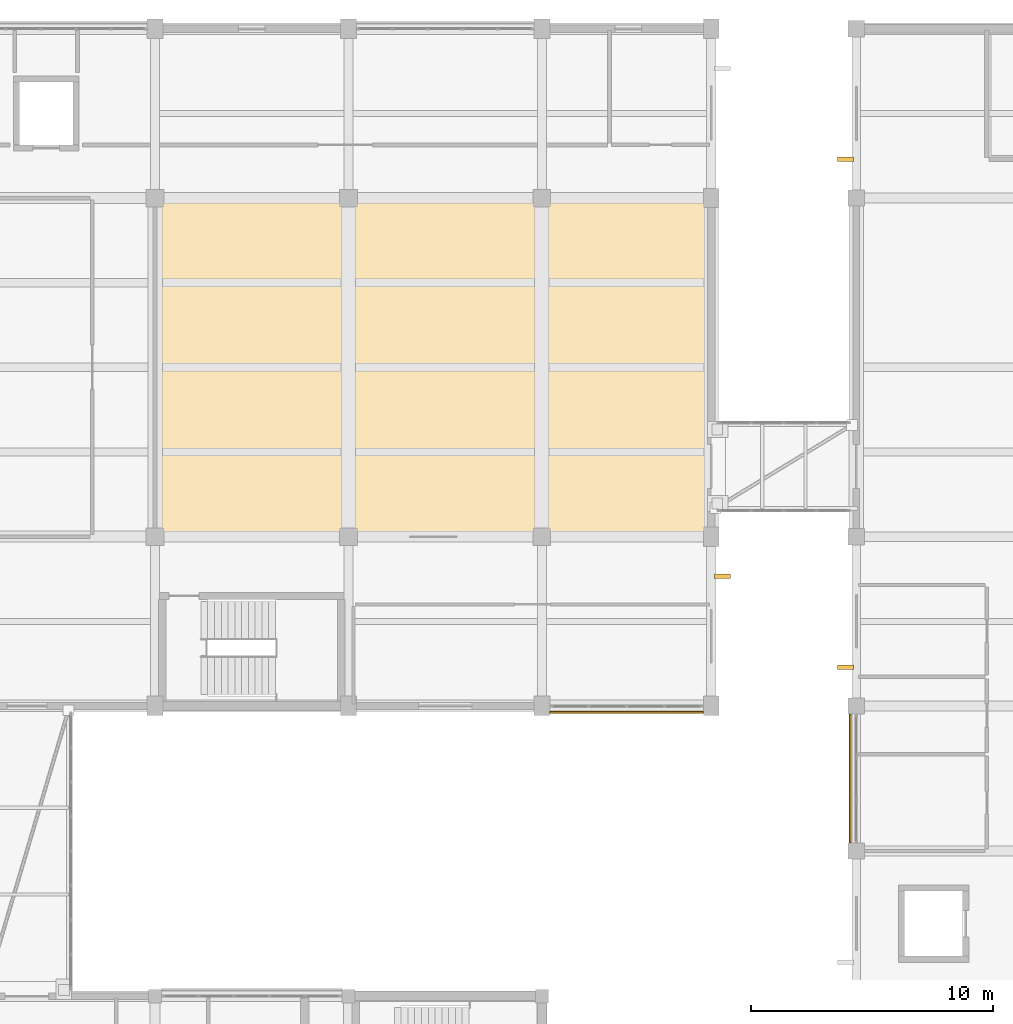
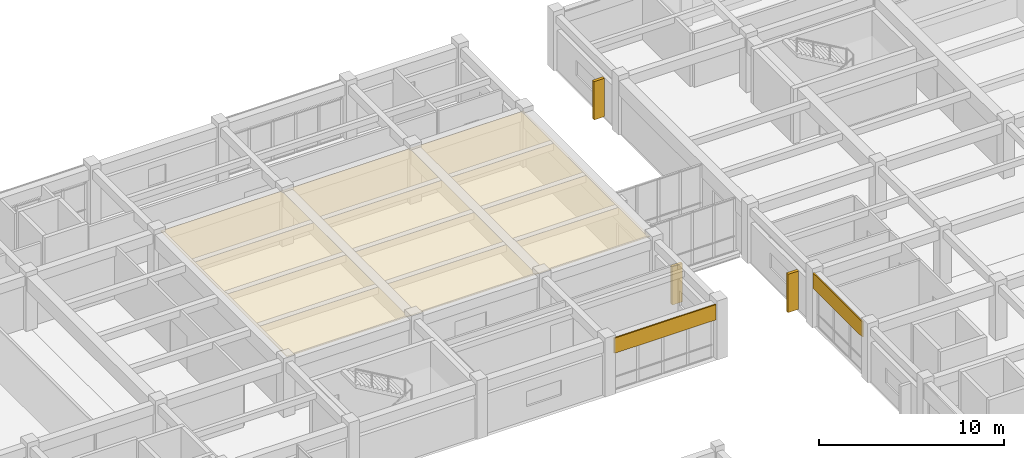
# One storey, part 63 of 66: 3 coverings, 3 shading devices.
"""IFC4 building model written with IfcOpenShell, lengths in metres."""

from ifc_helpers import new_model, si_unit, direction, frame, origin, origin_2d, place, context, subcontext, project, spatial, polyline, rectangle, outline, extrude, material, layer, layer_set, type_object, element, save


model = new_model("IFC4")

# Units and contexts
model_context = context("Model", 3, precision=1e-05, world=origin(), true_north=direction((0.0, 1.0)))
body_context = subcontext(model_context, "Body", "Model", "MODEL_VIEW")
ifc_project = project(units=[si_unit("LENGTHUNIT", "METRE"), si_unit("AREAUNIT", "SQUARE_METRE"), si_unit("VOLUMEUNIT", "CUBIC_METRE"), si_unit("PLANEANGLEUNIT", "RADIAN"), si_unit("MASSUNIT", "GRAM", prefix="KILO")], contexts=[model_context])

# Site, building, storey
site_placement = place(None, origin())
site = spatial("IfcSite", under=ifc_project, at=site_placement, CompositionType="ELEMENT")
building_placement = place(site_placement, origin())
building = spatial("IfcBuilding", under=site, at=building_placement, Name="Naurynzar Civic Courthouse", CompositionType="ELEMENT")
storey_placement = place(building_placement, frame((0.0, 0.0, 14.39990234375)))
storey = spatial("IfcBuildingStorey", under=building, at=storey_placement, Name="L04", CompositionType="ELEMENT", Elevation=14.39990234375)

# Coverings
ifc_material_1 = material(Name="Acoustic Oak Timber Grade A", Category="wood")
ifc_layer_1 = layer(ifc_material_1, 0.044921875)
ifc_layer_set_1 = layer_set([ifc_layer_1], Name="CEIL-ACOUSTIC-OAK-45")
covering_type_1 = type_object("IfcCoveringType", Name="CEIL-ACOUSTIC-OAK-45", PredefinedType="CEILING", material=ifc_layer_set_1)
covering_1_placement = place(storey_placement, frame((0.0, 0.0, 3.51513671875)))
element("IfcCovering", 1, at=covering_1_placement, inside=storey, type_object=covering_type_1, Name="Acoustic suspended ceiling Civil Chamber Courtroom L04-E", PredefinedType="CEILING", context=body_context, shape_type="SweptSolid", body=[
    extrude(outline(polyline([(123.840087890625, 51.159912109375), (101.159912109375, 51.159912109375), (101.159912109375, 64.840087890625), (123.840087890625, 64.840087890625), (123.840087890625, 51.159912109375)])), origin(), (0.0, 0.0, 1.0), 0.044921875),
])
ifc_material_2 = material(Name="Precast concrete C40/50", Category="concrete")
ifc_layer_2 = layer(ifc_material_2, 0.080078125)
ifc_layer_set_2 = layer_set([ifc_layer_2], Name="COV-CLAD-PRECAST-80")
covering_type_2 = type_object("IfcCoveringType", Name="COV-CLAD-PRECAST-80", PredefinedType="CLADDING", material=ifc_layer_set_2)
covering_2_placement = place(storey_placement, frame((120.5, 43.7451171875, 2.60986328125), z_axis=(0.0, 0.0, 1.0), x_axis=(-1.0, 0.0, 0.0)))
element("IfcCovering", 2, at=covering_2_placement, inside=storey, type_object=covering_type_2, Name="V2 precast spandrel cladding 35", PredefinedType="CLADDING", context=body_context, shape_type="SweptSolid", body=[
    extrude(rectangle(XDim=6.35009765625, YDim=0.080078125, at=origin_2d()), origin(), (0.0, 0.0, 1.0), 1.010009765625),
])
covering_3_placement = place(storey_placement, frame((129.7451171875, 41.0, 2.60986328125), z_axis=(0.0, 0.0, 1.0), x_axis=(0.0, 1.0, 0.0)))
element("IfcCovering", 3, at=covering_3_placement, inside=storey, type_object=covering_type_2, Name="V5 precast spandrel cladding 99", PredefinedType="CLADDING", context=body_context, shape_type="SweptSolid", body=[
    extrude(rectangle(XDim=5.324951171875, YDim=0.080078125, at=origin_2d()), origin(), (0.0, 0.0, 1.0), 1.010009765625),
])

# Shading devices
ifc_material_3 = material(Name="Precast concrete C40/50", Category="concrete")
shading_device_type = type_object("IfcShadingDeviceType", Name="SHD-FIN-V650", PredefinedType="JALOUSIE", material=ifc_material_3)
for number, where, z_axis, x_axis, name in (
    (4, (124.469970703125, 49.360107421875, 0.0400390625), (0.0, 0.0, 1.0), (0.0, -1.0, 0.0), "V2 vertical brise-soleil fin 21"),
    (5, (129.550048828125, 45.6025390625, 0.0400390625), (0.0, 0.0, 1.0), (0.0, 1.0, 0.0), "V5 vertical brise-soleil fin 83"),
    (6, (129.550048828125, 66.6025390625, 0.0400390625), (0.0, 0.0, 1.0), (0.0, 1.0, 0.0), "V5 vertical brise-soleil fin 84"),
):
    element("IfcShadingDevice", number, at=place(storey_placement, frame(where, z_axis=z_axis, x_axis=x_axis)), inside=storey, type_object=shading_device_type, Name=name, PredefinedType="JALOUSIE", context=body_context, shape_type="SweptSolid", body=[
        extrude(rectangle(XDim=0.179931640625, YDim=0.64990234375, at=origin_2d()), origin(), (0.0, 0.0, 1.0), 2.530029296875),
    ])

save(model, "model.ifc")
